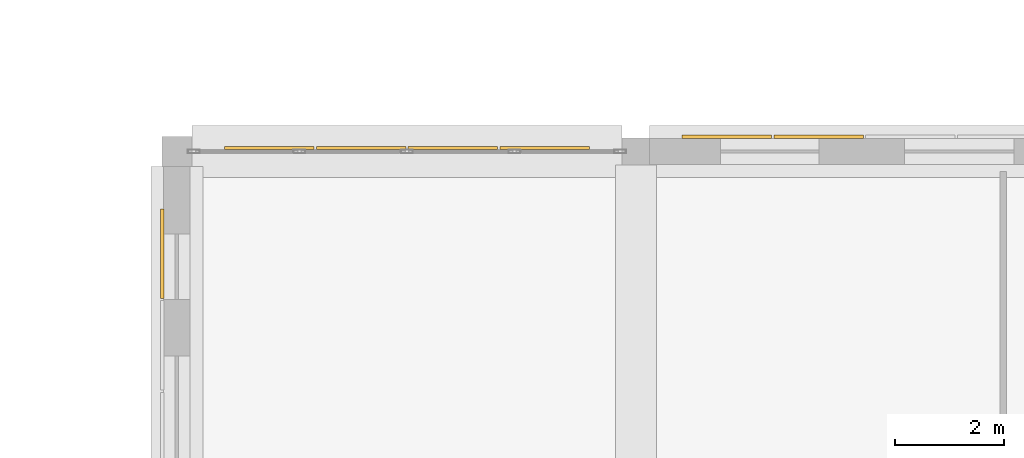
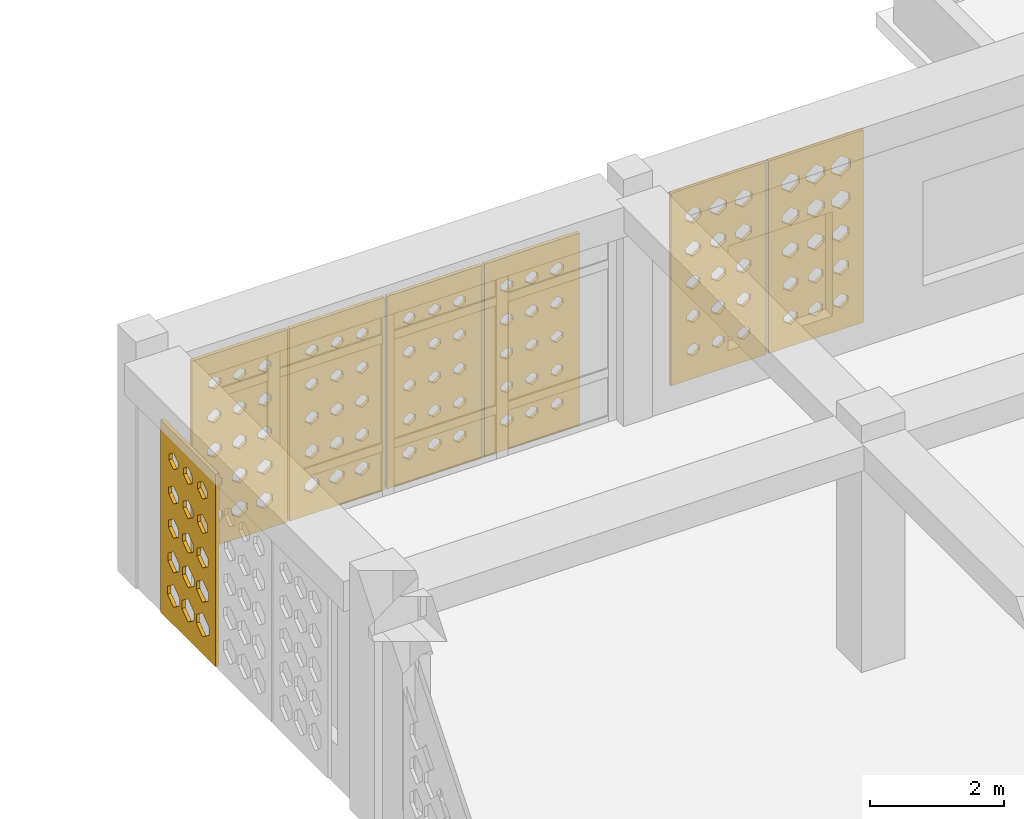
# One storey, part 99 of 111: 7 coverings.
"""IFC4 building model written with IfcOpenShell, lengths in metres."""

import ifcopenshell
import ifcopenshell.guid

model = None  # the IFC model being written
_history = None  # IfcOwnerHistory: only IFC2X3 demands one
_inside = {}  # id of a spatial element -> (the spatial element, [elements in it])
_under = {}  # id of a project, library or spatial element -> (it, [spatial elements below it])
_declared = {}  # id of a project -> (the project, [libraries it declares])
_typed = {}  # id of a type object -> (the type object, [elements of that type])
_made_of = {}  # id of a material, layer set ... -> (it, [elements and type objects made of it])


def new_model(schema):
    """Start an empty IFC model of exactly this schema.

    Asked for "IFC4X3", IfcOpenShell would pick the latest addendum, in which some entities
    have other attributes; the version numbers below select the first issue.
    IFC2X3 requires an IfcOwnerHistory on every rooted entity: one is made here for all.
    """
    global model, _history
    if schema == "IFC4X3":
        model = ifcopenshell.file(schema_version=(4, 3, 0, 0))
    else:
        model = ifcopenshell.file(schema=schema)
    _inside.clear()
    _under.clear()
    _declared.clear()
    _typed.clear()
    _made_of.clear()
    _history = None
    if model.schema == "IFC2X3":
        org = make("IfcOrganization", Name="unknown")
        user = make(
            "IfcPersonAndOrganization",
            ThePerson=make("IfcPerson", FamilyName="unknown"),
            TheOrganization=org,
        )
        app = make(
            "IfcApplication",
            ApplicationDeveloper=org,
            Version="unknown",
            ApplicationFullName="unknown",
            ApplicationIdentifier="unknown",
        )
        _history = make(
            "IfcOwnerHistory",
            OwningUser=user,
            OwningApplication=app,
            ChangeAction="ADDED",
            CreationDate=0,
        )
    return model


def make(cls, **values):
    """One entity of the class cls with the attributes given. An attribute that is None is left unset."""
    return model.create_entity(
        cls, **{name: value for name, value in values.items() if value is not None}
    )


def rooted(cls, **values):
    """An entity with a GlobalId (a new one), such as an element, a storey or a relation."""
    return make(cls, GlobalId=ifcopenshell.guid.new(), OwnerHistory=_history, **values)


def si_unit(unit_type, name, prefix=None):
    """IfcSIUnit, for example si_unit("LENGTHUNIT", "METRE", prefix="MILLI")."""
    return make("IfcSIUnit", UnitType=unit_type, Prefix=prefix, Name=name)


def derived_unit(unit_type, elements):
    """IfcDerivedUnit: a product of units, each with its exponent."""
    return make(
        "IfcDerivedUnit",
        Elements=[
            make("IfcDerivedUnitElement", Unit=unit, Exponent=power)
            for unit, power in elements
        ],
        UnitType=unit_type,
    )


def assignment(units):
    """IfcUnitAssignment: the units of a project."""
    return None if units is None else make("IfcUnitAssignment", Units=units)


def point(xyz):
    """IfcCartesianPoint."""
    return None if xyz is None else make("IfcCartesianPoint", Coordinates=xyz)


def direction(xyz):
    """IfcDirection."""
    return None if xyz is None else make("IfcDirection", DirectionRatios=xyz)


def frame(location, z_axis=None, x_axis=None):
    """IfcAxis2Placement3D, a coordinate frame: its origin and axes. An axis left out is left unset."""
    return make(
        "IfcAxis2Placement3D",
        Location=point(location),
        Axis=direction(z_axis),
        RefDirection=direction(x_axis),
    )


def origin():
    """The frame at (0, 0, 0) with its axes left unset."""
    return frame((0.0, 0.0, 0.0))


def place(relative_to, where):
    """IfcLocalPlacement: puts the frame where relative to a parent placement (None: the world)."""
    return make(
        "IfcLocalPlacement", PlacementRelTo=relative_to, RelativePlacement=where
    )


def context(
    kind, dimensions, precision=None, world=None, true_north=None, identifier=None
):
    """IfcGeometricRepresentationContext, for example the 3D "Model" context."""
    return make(
        "IfcGeometricRepresentationContext",
        ContextIdentifier=identifier,
        ContextType=kind,
        CoordinateSpaceDimension=dimensions,
        Precision=precision,
        WorldCoordinateSystem=world,
        TrueNorth=true_north,
    )


def subcontext(parent, identifier, kind, view, scale=None):
    """IfcGeometricRepresentationSubContext, for example "Body" below "Model"."""
    return make(
        "IfcGeometricRepresentationSubContext",
        ContextIdentifier=identifier,
        ContextType=kind,
        ParentContext=parent,
        TargetScale=scale,
        TargetView=view,
    )


def project(units=None, contexts=None):
    """IfcProject with its units and contexts."""
    return rooted(
        "IfcProject",
        Name="project",
        RepresentationContexts=contexts,
        UnitsInContext=assignment(units),
    )


def spatial(cls, under=None, at=None, **own):
    """A site, building, storey or space (cls), placed at a placement, below another one or the project."""
    s = rooted(cls, ObjectPlacement=at, **own)
    if under is not None:
        _under.setdefault(under.id(), (under, []))[1].append(s)
    return s


def polyline(points):
    """IfcPolyline through the points."""
    return make("IfcPolyline", Points=[point(p) for p in points])


def outline(outer, holes=None, kind="AREA"):
    """IfcArbitraryClosedProfileDef: a profile drawn as a closed curve; with holes, ...WithVoids."""
    if holes is None:
        return make("IfcArbitraryClosedProfileDef", ProfileType=kind, OuterCurve=outer)
    return make(
        "IfcArbitraryProfileDefWithVoids",
        ProfileType=kind,
        OuterCurve=outer,
        InnerCurves=holes,
    )


def extrude(swept, where, along, depth):
    """IfcExtrudedAreaSolid: the profile swept, set in the frame where, extruded along a direction by depth."""
    return make(
        "IfcExtrudedAreaSolid",
        SweptArea=swept,
        Position=where,
        ExtrudedDirection=direction(along),
        Depth=depth,
    )


def shape(context_of_items, identifier, shape_type, items):
    """IfcShapeRepresentation: the items that make up one representation, for example the "Body"."""
    return make(
        "IfcShapeRepresentation",
        ContextOfItems=context_of_items,
        RepresentationIdentifier=identifier,
        RepresentationType=shape_type,
        Items=items,
    )


def material(Name=None, Category=None):
    """IfcMaterial."""
    return make("IfcMaterial", Name=Name, Category=Category)


def layer(
    of_material, thickness, ventilated=None, Name=None, Category=None, Priority=None
):
    """IfcMaterialLayer: one layer of a wall or slab, of a material (None: an air gap)."""
    return make(
        "IfcMaterialLayer",
        Material=of_material,
        LayerThickness=thickness,
        IsVentilated=ventilated,
        Name=Name,
        Category=Category,
        Priority=Priority,
    )


def layer_set(layers, Name=None):
    """IfcMaterialLayerSet."""
    return make("IfcMaterialLayerSet", MaterialLayers=layers, LayerSetName=Name)


def made_of(thing, what):
    """Note that an element or type object is made of a material, layer set ...; save() writes the relation."""
    if what is not None:
        _made_of.setdefault(what.id(), (what, []))[1].append(thing)
    return thing


def type_object(cls, material=None, **own):
    """A type object (cls), such as IfcWallType, which elements share."""
    return made_of(rooted(cls, **own), material)


def element(
    cls,
    number,
    at=None,
    inside=None,
    cuts=None,
    type_object=None,
    material=None,
    context=None,
    identifier="Body",
    shape_type=None,
    held_by="IfcProductDefinitionShape",
    body=None,
    shapes=None,
    **own,
):
    """One element of the class cls, such as IfcWall. Its Tag is "e" and its number.

    at: its placement. inside: the storey or other place that contains it. cuts: it is an
    opening in that element (IfcRelVoidsElement). A single representation is given by context,
    identifier, shape_type and body (its items); several are given by shapes. held_by: the class
    of the entity that holds the representations. save() writes the other relations.
    """
    e = rooted(cls, Tag="e%d" % number, ObjectPlacement=at, **own)
    if body is not None:
        shapes = [shape(context, identifier, shape_type, body)]
    if shapes is not None:
        e.Representation = make(held_by, Representations=shapes)
    if inside is not None:
        _inside.setdefault(inside.id(), (inside, []))[1].append(e)
    if cuts is not None:
        rooted(
            "IfcRelVoidsElement", RelatingBuildingElement=cuts, RelatedOpeningElement=e
        )
    if type_object is not None:
        _typed.setdefault(type_object.id(), (type_object, []))[1].append(e)
    return made_of(e, material)


def aggregate(whole, parts):
    """IfcRelAggregates: a whole, such as a stair, and the parts it consists of."""
    return rooted("IfcRelAggregates", RelatingObject=whole, RelatedObjects=parts)


def save(model, path):
    """Write the relations noted so far, then the file.

    IfcRelAggregates (storeys below a building ...), IfcRelContainedInSpatialStructure (elements
    in a storey), IfcRelDefinesByType, IfcRelAssociatesMaterial and IfcRelDeclares: one each for
    every whole, place, type object, material and project.
    """
    for whole, parts in _under.values():
        aggregate(whole, parts)
    for where, things in _inside.values():
        rooted(
            "IfcRelContainedInSpatialStructure",
            RelatedElements=things,
            RelatingStructure=where,
        )
    for kind, things in _typed.values():
        rooted("IfcRelDefinesByType", RelatedObjects=things, RelatingType=kind)
    for what, things in _made_of.values():
        rooted("IfcRelAssociatesMaterial", RelatedObjects=things, RelatingMaterial=what)
    for by, libraries in _declared.values():
        rooted("IfcRelDeclares", RelatingContext=by, RelatedDefinitions=libraries)
    model.write(path)


model = new_model("IFC4")

# Units and contexts
model_context = context("Model", 3, precision=1e-05, world=origin(), true_north=direction((0.0, 1.0)))
body_context = subcontext(model_context, "Body", "Model", "MODEL_VIEW")
ifc_project = project(units=[si_unit("LENGTHUNIT", "METRE"), si_unit("AREAUNIT", "SQUARE_METRE"), si_unit("VOLUMEUNIT", "CUBIC_METRE"), si_unit("PLANEANGLEUNIT", "RADIAN"), si_unit("MASSUNIT", "GRAM", prefix="KILO"), derived_unit("THERMALTRANSMITTANCEUNIT", [(si_unit("POWERUNIT", "WATT"), 1), (si_unit("LENGTHUNIT", "METRE"), -2), (si_unit("THERMODYNAMICTEMPERATUREUNIT", "KELVIN"), -1)])], contexts=[model_context])

# Site, building, storey
site_placement = place(None, origin())
site = spatial("IfcSite", under=ifc_project, at=site_placement, CompositionType="ELEMENT")
building_placement = place(site_placement, origin())
building = spatial("IfcBuilding", under=site, at=building_placement, Name="Veybourne Emporium", CompositionType="ELEMENT")
storey_placement = place(building_placement, frame((0.0, 0.0, 9.89990234375)))
storey = spatial("IfcBuildingStorey", under=building, at=storey_placement, Name="L02", CompositionType="ELEMENT", Elevation=9.89990234375)

# Coverings
ifc_material = material(Name="Warm-White Perforated Aluminium Screen Alloy", Category="aluminium")
ifc_layer_1 = layer(ifc_material, 0.06005859375)
ifc_layer_set_1 = layer_set([ifc_layer_1], Name="Warm-White Perforated Aluminium Screen Alloy")
covering_type_1 = type_object("IfcCoveringType", Name="WaveScreen_SCR-01", PredefinedType="CLADDING", material=ifc_layer_set_1)
covering_1_placement = place(storey_placement, frame((36.972412109375, 108.093017578125, 1.815185546875), z_axis=(0.0, -1.0, 0.0), x_axis=(1.0, 0.0, 0.0)))
element("IfcCovering", 1, at=covering_1_placement, inside=storey, type_object=covering_type_1, Name="L02 wave-perforated aluminium screen SCR-01 (24C.2)", PredefinedType="CLADDING", context=body_context, shape_type="SweptSolid", body=[
    extrude(outline(polyline([(-0.81982421875, -1.7548828125), (0.81982421875, -1.7548828125), (0.81982421875, 1.7548828125), (-0.81982421875, 1.7548828125), (-0.81982421875, -1.7548828125)]), holes=[polyline([(-0.433349609375, -1.087890625), (-0.308837890625, -1.177490234375), (-0.308837890625, -1.2783203125), (-0.433349609375, -1.367919921875), (-0.557861328125, -1.2783203125), (-0.557861328125, -1.177490234375), (-0.433349609375, -1.087890625)]), polyline([(-0.433349609375, -0.484130859375), (-0.317138671875, -0.5673828125), (-0.317138671875, -0.66064453125), (-0.433349609375, -0.743896484375), (-0.549560546875, -0.66064453125), (-0.549560546875, -0.5673828125), (-0.433349609375, -0.484130859375)]), polyline([(-0.433349609375, 0.12158203125), (-0.32373046875, 0.043701171875), (-0.32373046875, -0.043701171875), (-0.433349609375, -0.12158203125), (-0.542724609375, -0.043701171875), (-0.542724609375, 0.043701171875), (-0.433349609375, 0.12158203125)]), polyline([(-0.433349609375, 0.7294921875), (-0.328857421875, 0.655517578125), (-0.328857421875, 0.572509765625), (-0.433349609375, 0.49853515625), (-0.537841796875, 0.572509765625), (-0.537841796875, 0.655517578125), (-0.433349609375, 0.7294921875)]), polyline([(-0.433349609375, 1.339599609375), (-0.33203125, 1.26806640625), (-0.33203125, 1.18798828125), (-0.433349609375, 1.116455078125), (-0.53466796875, 1.18798828125), (-0.53466796875, 1.26806640625), (-0.433349609375, 1.339599609375)]), polyline([(0.0, -1.0927734375), (0.12060546875, -1.17919921875), (0.12060546875, -1.276611328125), (0.0, -1.36328125), (-0.12060546875, -1.276611328125), (-0.12060546875, -1.17919921875), (0.0, -1.0927734375)]), polyline([(0.0, -0.488037109375), (0.113037109375, -0.568603515625), (0.113037109375, -0.6591796875), (0.0, -0.739990234375), (-0.113037109375, -0.6591796875), (-0.113037109375, -0.568603515625), (0.0, -0.488037109375)]), polyline([(0.0, 0.118408203125), (0.10693359375, 0.042724609375), (0.10693359375, -0.042724609375), (0.0, -0.118408203125), (-0.10693359375, -0.042724609375), (-0.10693359375, 0.042724609375), (0.0, 0.118408203125)]), polyline([(0.0, 0.727294921875), (0.102783203125, 0.65478515625), (0.102783203125, 0.5732421875), (0.0, 0.50048828125), (-0.102783203125, 0.5732421875), (-0.102783203125, 0.65478515625), (0.0, 0.727294921875)]), polyline([(0.0, 1.33837890625), (0.100341796875, 1.267822265625), (0.100341796875, 1.188232421875), (0.0, 1.117431640625), (-0.100341796875, 1.188232421875), (-0.100341796875, 1.267822265625), (0.0, 1.33837890625)]), polyline([(0.433349609375, -1.097412109375), (0.55029296875, -1.180908203125), (0.55029296875, -1.275146484375), (0.433349609375, -1.358642578125), (0.31640625, -1.275146484375), (0.31640625, -1.180908203125), (0.433349609375, -1.097412109375)]), polyline([(0.433349609375, -0.49169921875), (0.54345703125, -0.570068359375), (0.54345703125, -0.657958984375), (0.433349609375, -0.736328125), (0.3232421875, -0.657958984375), (0.3232421875, -0.570068359375), (0.433349609375, -0.49169921875)]), polyline([(0.433349609375, 0.115966796875), (0.5380859375, 0.041748046875), (0.5380859375, -0.041748046875), (0.433349609375, -0.115966796875), (0.32861328125, -0.041748046875), (0.32861328125, 0.041748046875), (0.433349609375, 0.115966796875)]), polyline([(0.433349609375, 0.725830078125), (0.534912109375, 0.654296875), (0.534912109375, 0.57373046875), (0.433349609375, 0.502197265625), (0.331787109375, 0.57373046875), (0.331787109375, 0.654296875), (0.433349609375, 0.725830078125)]), polyline([(0.433349609375, 1.338134765625), (0.533447265625, 1.267578125), (0.533447265625, 1.1884765625), (0.433349609375, 1.117919921875), (0.333251953125, 1.1884765625), (0.333251953125, 1.267578125), (0.433349609375, 1.338134765625)])]), origin(), (0.0, 0.0, 1.0), 0.06005859375),
])
covering_2_placement = place(storey_placement, frame((45.347412109375, 108.298095703125, 1.815185546875), z_axis=(0.0, -1.0, 0.0), x_axis=(1.0, 0.0, 0.0)))
element("IfcCovering", 2, at=covering_2_placement, inside=storey, type_object=covering_type_1, Name="L02 wave-perforated aluminium screen SCR-01 (28.2)", PredefinedType="CLADDING", context=body_context, shape_type="SweptSolid", body=[
    extrude(outline(polyline([(-0.81982421875, -1.7548828125), (0.81982421875, -1.7548828125), (0.81982421875, 1.7548828125), (-0.81982421875, 1.7548828125), (-0.81982421875, -1.7548828125)]), holes=[polyline([(-0.433349609375, -1.1005859375), (-0.319091796875, -1.18212890625), (-0.319091796875, -1.27392578125), (-0.433349609375, -1.35546875), (-0.547607421875, -1.27392578125), (-0.547607421875, -1.18212890625), (-0.433349609375, -1.1005859375)]), polyline([(-0.433349609375, -0.476806640625), (-0.31103515625, -0.564697265625), (-0.31103515625, -0.663330078125), (-0.433349609375, -0.751220703125), (-0.5556640625, -0.663330078125), (-0.5556640625, -0.564697265625), (-0.433349609375, -0.476806640625)]), polyline([(-0.433349609375, 0.1484375), (-0.302001953125, 0.053466796875), (-0.302001953125, -0.053466796875), (-0.433349609375, -0.1484375), (-0.564697265625, -0.053466796875), (-0.564697265625, 0.053466796875), (-0.433349609375, 0.1484375)]), polyline([(-0.433349609375, 0.775146484375), (-0.29150390625, 0.672119140625), (-0.29150390625, 0.555908203125), (-0.433349609375, 0.452880859375), (-0.5751953125, 0.555908203125), (-0.5751953125, 0.672119140625), (-0.433349609375, 0.775146484375)]), polyline([(-0.433349609375, 1.402587890625), (-0.280517578125, 1.290771484375), (-0.280517578125, 1.165283203125), (-0.433349609375, 1.053466796875), (-0.586181640625, 1.165283203125), (-0.586181640625, 1.290771484375), (-0.433349609375, 1.402587890625)]), polyline([(0.0, -1.09619140625), (0.11767578125, -1.1806640625), (0.11767578125, -1.275390625), (0.0, -1.359619140625), (-0.11767578125, -1.275390625), (-0.11767578125, -1.1806640625), (0.0, -1.09619140625)]), polyline([(0.0, -0.471923828125), (0.126220703125, -0.562744140625), (0.126220703125, -0.665283203125), (0.0, -0.756103515625), (-0.126220703125, -0.665283203125), (-0.126220703125, -0.562744140625), (0.0, -0.471923828125)]), polyline([(0.0, 0.154052734375), (0.135986328125, 0.055419921875), (0.135986328125, -0.055419921875), (0.0, -0.154052734375), (-0.135986328125, -0.055419921875), (-0.135986328125, 0.055419921875), (0.0, 0.154052734375)]), polyline([(0.0, 0.781005859375), (0.146728515625, 0.67431640625), (0.146728515625, 0.5537109375), (0.0, 0.447021484375), (-0.146728515625, 0.5537109375), (-0.146728515625, 0.67431640625), (0.0, 0.781005859375)]), polyline([(0.0, 1.408935546875), (0.157958984375, 1.293212890625), (0.157958984375, 1.162841796875), (0.0, 1.047119140625), (-0.157958984375, 1.162841796875), (-0.157958984375, 1.293212890625), (0.0, 1.408935546875)]), polyline([(0.433349609375, -1.091796875), (0.5546875, -1.178955078125), (0.5546875, -1.277099609375), (0.433349609375, -1.3642578125), (0.31201171875, -1.277099609375), (0.31201171875, -1.178955078125), (0.433349609375, -1.091796875)]), polyline([(0.433349609375, -0.466552734375), (0.56396484375, -0.560791015625), (0.56396484375, -0.6669921875), (0.433349609375, -0.761474609375), (0.302734375, -0.6669921875), (0.302734375, -0.560791015625), (0.433349609375, -0.466552734375)]), polyline([(0.433349609375, 0.159912109375), (0.57421875, 0.0576171875), (0.57421875, -0.0576171875), (0.433349609375, -0.159912109375), (0.29248046875, -0.0576171875), (0.29248046875, 0.0576171875), (0.433349609375, 0.159912109375)]), polyline([(0.433349609375, 0.787353515625), (0.585205078125, 0.676513671875), (0.585205078125, 0.551513671875), (0.433349609375, 0.440673828125), (0.281494140625, 0.551513671875), (0.281494140625, 0.676513671875), (0.433349609375, 0.787353515625)]), polyline([(0.433349609375, 1.415283203125), (0.5966796875, 1.29541015625), (0.5966796875, 1.16064453125), (0.433349609375, 1.040771484375), (0.27001953125, 1.16064453125), (0.27001953125, 1.29541015625), (0.433349609375, 1.415283203125)])]), origin(), (0.0, 0.0, 1.0), 0.06005859375),
])
ifc_layer_2 = layer(ifc_material, 0.06005859375)
ifc_layer_set_2 = layer_set([ifc_layer_2], Name="Warm-White Perforated Aluminium Screen Alloy")
covering_type_2 = type_object("IfcCoveringType", Name="WaveScreen_SCR-02", PredefinedType="CLADDING", material=ifc_layer_set_2)
covering_3_placement = place(storey_placement, frame((38.652587890625, 108.093017578125, 1.815185546875), z_axis=(0.0, -1.0, 0.0), x_axis=(1.0, 0.0, 0.0)))
element("IfcCovering", 3, at=covering_3_placement, inside=storey, type_object=covering_type_2, Name="L02 wave-perforated aluminium screen SCR-02 (24C.3)", PredefinedType="CLADDING", context=body_context, shape_type="SweptSolid", body=[
    extrude(outline(polyline([(-0.81982421875, -1.7548828125), (0.81982421875, -1.7548828125), (0.81982421875, 1.7548828125), (-0.81982421875, 1.7548828125), (-0.81982421875, -1.7548828125)]), holes=[polyline([(-0.433349609375, -1.1044921875), (-0.322509765625, -1.18359375), (-0.322509765625, -1.2724609375), (-0.433349609375, -1.351318359375), (-0.544189453125, -1.2724609375), (-0.544189453125, -1.18359375), (-0.433349609375, -1.1044921875)]), polyline([(-0.433349609375, -0.497314453125), (-0.327880859375, -0.572021484375), (-0.327880859375, -0.656005859375), (-0.433349609375, -0.730712890625), (-0.538818359375, -0.656005859375), (-0.538818359375, -0.572021484375), (-0.433349609375, -0.497314453125)]), polyline([(-0.433349609375, 0.1123046875), (-0.33154296875, 0.040283203125), (-0.33154296875, -0.040283203125), (-0.433349609375, -0.1123046875), (-0.53515625, -0.040283203125), (-0.53515625, 0.040283203125), (-0.433349609375, 0.1123046875)]), polyline([(-0.433349609375, 0.72412109375), (-0.333251953125, 0.65380859375), (-0.333251953125, 0.57421875), (-0.433349609375, 0.50390625), (-0.533447265625, 0.57421875), (-0.533447265625, 0.65380859375), (-0.433349609375, 0.72412109375)]), polyline([(-0.433349609375, 1.33837890625), (-0.3330078125, 1.267822265625), (-0.3330078125, 1.188232421875), (-0.433349609375, 1.117431640625), (-0.53369140625, 1.188232421875), (-0.53369140625, 1.267822265625), (-0.433349609375, 1.33837890625)]), polyline([(0.0, -1.10791015625), (0.1083984375, -1.184814453125), (0.1083984375, -1.271240234375), (0.0, -1.34814453125), (-0.1083984375, -1.271240234375), (-0.1083984375, -1.184814453125), (0.0, -1.10791015625)]), polyline([(0.0, -0.49951171875), (0.103515625, -0.57275390625), (0.103515625, -0.6552734375), (0.0, -0.728515625), (-0.103515625, -0.6552734375), (-0.103515625, -0.57275390625), (0.0, -0.49951171875)]), polyline([(0.0, 0.111083984375), (0.100830078125, 0.0400390625), (0.100830078125, -0.0400390625), (0.0, -0.111083984375), (-0.100830078125, -0.0400390625), (-0.100830078125, 0.0400390625), (0.0, 0.111083984375)]), polyline([(0.0, 0.72412109375), (0.10009765625, 0.653564453125), (0.10009765625, 0.574462890625), (0.0, 0.50390625), (-0.10009765625, 0.574462890625), (-0.10009765625, 0.653564453125), (0.0, 0.72412109375)]), polyline([(0.0, 1.33935546875), (0.101318359375, 1.26806640625), (0.101318359375, 1.18798828125), (0.0, 1.11669921875), (-0.101318359375, 1.18798828125), (-0.101318359375, 1.26806640625), (0.0, 1.33935546875)]), polyline([(0.433349609375, -1.11083984375), (0.539306640625, -1.185791015625), (0.539306640625, -1.270263671875), (0.433349609375, -1.34521484375), (0.327392578125, -1.270263671875), (0.327392578125, -1.185791015625), (0.433349609375, -1.11083984375)]), polyline([(0.433349609375, -0.50146484375), (0.535400390625, -0.573486328125), (0.535400390625, -0.654541015625), (0.433349609375, -0.7265625), (0.331298828125, -0.654541015625), (0.331298828125, -0.573486328125), (0.433349609375, -0.50146484375)]), polyline([(0.433349609375, 0.1103515625), (0.533447265625, 0.039794921875), (0.533447265625, -0.039794921875), (0.433349609375, -0.1103515625), (0.3330078125, -0.039794921875), (0.3330078125, 0.039794921875), (0.433349609375, 0.1103515625)]), polyline([(0.433349609375, 0.724365234375), (0.53369140625, 0.65380859375), (0.53369140625, 0.57421875), (0.433349609375, 0.503662109375), (0.3330078125, 0.57421875), (0.3330078125, 0.65380859375), (0.433349609375, 0.724365234375)]), polyline([(0.433349609375, 1.3408203125), (0.53564453125, 1.2685546875), (0.53564453125, 1.1875), (0.433349609375, 1.114990234375), (0.3310546875, 1.1875), (0.3310546875, 1.2685546875), (0.433349609375, 1.3408203125)])]), origin(), (0.0, 0.0, 1.0), 0.06005859375),
])
ifc_layer_3 = layer(ifc_material, 0.06005859375)
ifc_layer_set_3 = layer_set([ifc_layer_3], Name="Warm-White Perforated Aluminium Screen Alloy")
covering_type_3 = type_object("IfcCoveringType", Name="WaveScreen_SCR-03", PredefinedType="CLADDING", material=ifc_layer_set_3)
covering_4_placement = place(storey_placement, frame((40.33251953125, 108.093017578125, 1.815185546875), z_axis=(0.0, -1.0, 0.0), x_axis=(1.0, 0.0, 0.0)))
element("IfcCovering", 4, at=covering_4_placement, inside=storey, type_object=covering_type_3, Name="L02 wave-perforated aluminium screen SCR-03 (24C.4)", PredefinedType="CLADDING", context=body_context, shape_type="SweptSolid", body=[
    extrude(outline(polyline([(-0.81982421875, -1.7548828125), (0.81982421875, -1.7548828125), (0.81982421875, 1.7548828125), (-0.81982421875, 1.7548828125), (-0.81982421875, -1.7548828125)]), holes=[polyline([(-0.433349609375, -1.114990234375), (-0.330810546875, -1.187255859375), (-0.330810546875, -1.268798828125), (-0.433349609375, -1.341064453125), (-0.535888671875, -1.268798828125), (-0.535888671875, -1.187255859375), (-0.433349609375, -1.114990234375)]), polyline([(-0.433349609375, -0.503662109375), (-0.3330078125, -0.57421875), (-0.3330078125, -0.65380859375), (-0.433349609375, -0.724365234375), (-0.53369140625, -0.65380859375), (-0.53369140625, -0.57421875), (-0.433349609375, -0.503662109375)]), polyline([(-0.433349609375, 0.110107421875), (-0.333251953125, 0.039794921875), (-0.333251953125, -0.039794921875), (-0.433349609375, -0.110107421875), (-0.533447265625, -0.039794921875), (-0.533447265625, 0.039794921875), (-0.433349609375, 0.110107421875)]), polyline([(-0.433349609375, 0.726318359375), (-0.331298828125, 0.654541015625), (-0.331298828125, 0.573486328125), (-0.433349609375, 0.501708984375), (-0.535400390625, 0.573486328125), (-0.535400390625, 0.654541015625), (-0.433349609375, 0.726318359375)]), polyline([(-0.433349609375, 1.344970703125), (-0.32763671875, 1.27001953125), (-0.32763671875, 1.185791015625), (-0.433349609375, 1.111083984375), (-0.5390625, 1.185791015625), (-0.5390625, 1.27001953125), (-0.433349609375, 1.344970703125)]), polyline([(0.0, -1.116455078125), (0.101318359375, -1.187744140625), (0.101318359375, -1.268310546875), (0.0, -1.339599609375), (-0.101318359375, -1.268310546875), (-0.101318359375, -1.187744140625), (0.0, -1.116455078125)]), polyline([(0.0, -0.50390625), (0.10009765625, -0.574462890625), (0.10009765625, -0.653564453125), (0.0, -0.72412109375), (-0.10009765625, -0.653564453125), (-0.10009765625, -0.574462890625), (0.0, -0.50390625)]), polyline([(0.0, 0.11083984375), (0.1005859375, 0.039794921875), (0.1005859375, -0.039794921875), (0.0, -0.11083984375), (-0.1005859375, -0.039794921875), (-0.1005859375, 0.039794921875), (0.0, 0.11083984375)]), polyline([(0.0, 0.72802734375), (0.103515625, 0.655029296875), (0.103515625, 0.572998046875), (0.0, 0.5), (-0.103515625, 0.572998046875), (-0.103515625, 0.655029296875), (0.0, 0.72802734375)]), polyline([(0.0, 1.34765625), (0.10791015625, 1.27099609375), (0.10791015625, 1.184814453125), (0.0, 1.1083984375), (-0.10791015625, 1.184814453125), (-0.10791015625, 1.27099609375), (0.0, 1.34765625)]), polyline([(0.433349609375, -1.117431640625), (0.53369140625, -1.188232421875), (0.53369140625, -1.267822265625), (0.433349609375, -1.338623046875), (0.3330078125, -1.267822265625), (0.3330078125, -1.188232421875), (0.433349609375, -1.117431640625)]), polyline([(0.433349609375, -0.50390625), (0.533447265625, -0.574462890625), (0.533447265625, -0.653564453125), (0.433349609375, -0.72412109375), (0.333251953125, -0.653564453125), (0.333251953125, -0.574462890625), (0.433349609375, -0.50390625)]), polyline([(0.433349609375, 0.112060546875), (0.534912109375, 0.040283203125), (0.534912109375, -0.040283203125), (0.433349609375, -0.112060546875), (0.33154296875, -0.040283203125), (0.33154296875, 0.040283203125), (0.433349609375, 0.112060546875)]), polyline([(0.433349609375, 0.73046875), (0.53857421875, 0.656005859375), (0.53857421875, 0.572021484375), (0.433349609375, 0.49755859375), (0.328125, 0.572021484375), (0.328125, 0.656005859375), (0.433349609375, 0.73046875)]), polyline([(0.433349609375, 1.35107421875), (0.5439453125, 1.272216796875), (0.5439453125, 1.18359375), (0.433349609375, 1.10498046875), (0.32275390625, 1.18359375), (0.32275390625, 1.272216796875), (0.433349609375, 1.35107421875)])]), origin(), (0.0, 0.0, 1.0), 0.06005859375),
])
covering_5_placement = place(storey_placement, frame((33.302001953125, 106.1298828125, 1.815185546875), z_axis=(1.0, 0.0, 0.0), x_axis=(0.0, 1.0, 0.0)))
element("IfcCovering", 5, at=covering_5_placement, inside=storey, type_object=covering_type_3, Name="L02 wave-perforated aluminium screen SCR-03 (25.3)", PredefinedType="CLADDING", context=body_context, shape_type="SweptSolid", body=[
    extrude(outline(polyline([(-0.81982421875, -1.7548828125), (0.81982421875, -1.7548828125), (0.81982421875, 1.7548828125), (-0.81982421875, 1.7548828125), (-0.81982421875, -1.7548828125)]), holes=[polyline([(-0.433349609375, -1.010009765625), (-0.2470703125, -1.149658203125), (-0.2470703125, -1.306396484375), (-0.433349609375, -1.44580078125), (-0.61962890625, -1.306396484375), (-0.61962890625, -1.149658203125), (-0.433349609375, -1.010009765625)]), polyline([(-0.433349609375, -0.409912109375), (-0.25634765625, -0.54052734375), (-0.25634765625, -0.6875), (-0.433349609375, -0.818115234375), (-0.6103515625, -0.6875), (-0.6103515625, -0.54052734375), (-0.433349609375, -0.409912109375)]), polyline([(-0.433349609375, 0.18994140625), (-0.267822265625, 0.068359375), (-0.267822265625, -0.068359375), (-0.433349609375, -0.18994140625), (-0.5986328125, -0.068359375), (-0.5986328125, 0.068359375), (-0.433349609375, 0.18994140625)]), polyline([(-0.433349609375, 0.789794921875), (-0.279296875, 0.67724609375), (-0.279296875, 0.55078125), (-0.433349609375, 0.43798828125), (-0.587158203125, 0.55078125), (-0.587158203125, 0.67724609375), (-0.433349609375, 0.789794921875)]), polyline([(-0.433349609375, 1.390380859375), (-0.29052734375, 1.286376953125), (-0.29052734375, 1.169677734375), (-0.433349609375, 1.065673828125), (-0.576171875, 1.169677734375), (-0.576171875, 1.286376953125), (-0.433349609375, 1.390380859375)]), polyline([(0.0, -1.016357421875), (0.18310546875, -1.15185546875), (0.18310546875, -1.30419921875), (0.0, -1.439697265625), (-0.18310546875, -1.30419921875), (-0.18310546875, -1.15185546875), (0.0, -1.016357421875)]), polyline([(0.0, -0.416259765625), (0.171630859375, -0.542724609375), (0.171630859375, -0.685302734375), (0.0, -0.811767578125), (-0.171630859375, -0.685302734375), (-0.171630859375, -0.542724609375), (0.0, -0.416259765625)]), polyline([(0.0, 0.18359375), (0.16015625, 0.066162109375), (0.16015625, -0.066162109375), (0.0, -0.18359375), (-0.16015625, -0.066162109375), (-0.16015625, 0.066162109375), (0.0, 0.18359375)]), polyline([(0.0, 0.78369140625), (0.148681640625, 0.675048828125), (0.148681640625, 0.552978515625), (0.0, 0.4443359375), (-0.148681640625, 0.552978515625), (-0.148681640625, 0.675048828125), (0.0, 0.78369140625)]), polyline([(0.0, 1.384521484375), (0.137939453125, 1.2841796875), (0.137939453125, 1.171630859375), (0.0, 1.071533203125), (-0.137939453125, 1.171630859375), (-0.137939453125, 1.2841796875), (0.0, 1.384521484375)]), polyline([(0.433349609375, -1.022705078125), (0.611328125, -1.154052734375), (0.611328125, -1.302001953125), (0.433349609375, -1.433349609375), (0.25537109375, -1.302001953125), (0.25537109375, -1.154052734375), (0.433349609375, -1.022705078125)]), polyline([(0.433349609375, -0.422607421875), (0.599853515625, -0.545166015625), (0.599853515625, -0.682861328125), (0.433349609375, -0.805419921875), (0.266845703125, -0.682861328125), (0.266845703125, -0.545166015625), (0.433349609375, -0.422607421875)]), polyline([(0.433349609375, 0.17724609375), (0.58837890625, 0.063720703125), (0.58837890625, -0.063720703125), (0.433349609375, -0.17724609375), (0.2783203125, -0.063720703125), (0.2783203125, 0.063720703125), (0.433349609375, 0.17724609375)]), polyline([(0.433349609375, 0.777587890625), (0.5771484375, 0.6728515625), (0.5771484375, 0.55517578125), (0.433349609375, 0.450439453125), (0.28955078125, 0.55517578125), (0.28955078125, 0.6728515625), (0.433349609375, 0.777587890625)]), polyline([(0.433349609375, 1.378662109375), (0.566650390625, 1.2822265625), (0.566650390625, 1.173583984375), (0.433349609375, 1.077392578125), (0.300048828125, 1.173583984375), (0.300048828125, 1.2822265625), (0.433349609375, 1.378662109375)])]), origin(), (0.0, 0.0, 1.0), 0.06005859375),
])
ifc_layer_4 = layer(ifc_material, 0.06005859375)
ifc_layer_set_4 = layer_set([ifc_layer_4], Name="Warm-White Perforated Aluminium Screen Alloy")
covering_type_4 = type_object("IfcCoveringType", Name="WaveScreen_SCR-04", PredefinedType="CLADDING", material=ifc_layer_set_4)
covering_6_placement = place(storey_placement, frame((35.29248046875, 108.093017578125, 1.815185546875), z_axis=(0.0, -1.0, 0.0), x_axis=(1.0, 0.0, 0.0)))
element("IfcCovering", 6, at=covering_6_placement, inside=storey, type_object=covering_type_4, Name="L02 wave-perforated aluminium screen SCR-04 (24C.1)", PredefinedType="CLADDING", context=body_context, shape_type="SweptSolid", body=[
    extrude(outline(polyline([(-0.81982421875, -1.7548828125), (0.81982421875, -1.7548828125), (0.81982421875, 1.7548828125), (-0.81982421875, 1.7548828125), (-0.81982421875, -1.7548828125)]), holes=[polyline([(-0.433349609375, -1.066650390625), (-0.29150390625, -1.169921875), (-0.29150390625, -1.2861328125), (-0.433349609375, -1.389404296875), (-0.5751953125, -1.2861328125), (-0.5751953125, -1.169921875), (-0.433349609375, -1.066650390625)]), polyline([(-0.433349609375, -0.46533203125), (-0.3017578125, -0.560546875), (-0.3017578125, -0.66748046875), (-0.433349609375, -0.7626953125), (-0.56494140625, -0.66748046875), (-0.56494140625, -0.560546875), (-0.433349609375, -0.46533203125)]), polyline([(-0.433349609375, 0.137451171875), (-0.310791015625, 0.049560546875), (-0.310791015625, -0.049560546875), (-0.433349609375, -0.137451171875), (-0.5556640625, -0.049560546875), (-0.5556640625, 0.049560546875), (-0.433349609375, 0.137451171875)]), polyline([(-0.433349609375, 0.74169921875), (-0.31884765625, 0.659912109375), (-0.31884765625, 0.568115234375), (-0.433349609375, 0.486328125), (-0.5478515625, 0.568115234375), (-0.5478515625, 0.659912109375), (-0.433349609375, 0.74169921875)]), polyline([(-0.433349609375, 1.347900390625), (-0.3251953125, 1.271240234375), (-0.3251953125, 1.184814453125), (-0.433349609375, 1.108154296875), (-0.54150390625, 1.184814453125), (-0.54150390625, 1.271240234375), (-0.433349609375, 1.347900390625)]), polyline([(0.0, -1.072509765625), (0.13720703125, -1.172119140625), (0.13720703125, -1.283935546875), (0.0, -1.38330078125), (-0.13720703125, -1.283935546875), (-0.13720703125, -1.172119140625), (0.0, -1.072509765625)]), polyline([(0.0, -0.470703125), (0.127197265625, -0.5625), (0.127197265625, -0.66552734375), (0.0, -0.75732421875), (-0.127197265625, -0.66552734375), (-0.127197265625, -0.5625), (0.0, -0.470703125)]), polyline([(0.0, 0.1328125), (0.11865234375, 0.0478515625), (0.11865234375, -0.0478515625), (0.0, -0.1328125), (-0.11865234375, -0.0478515625), (-0.11865234375, 0.0478515625), (0.0, 0.1328125)]), polyline([(0.0, 0.73779296875), (0.111328125, 0.65869140625), (0.111328125, 0.5693359375), (0.0, 0.489990234375), (-0.111328125, 0.5693359375), (-0.111328125, 0.65869140625), (0.0, 0.73779296875)]), polyline([(0.0, 1.34521484375), (0.105712890625, 1.27001953125), (0.105712890625, 1.185791015625), (0.0, 1.11083984375), (-0.105712890625, 1.185791015625), (-0.105712890625, 1.27001953125), (0.0, 1.34521484375)]), polyline([(0.433349609375, -1.078125), (0.56591796875, -1.174072265625), (0.56591796875, -1.281982421875), (0.433349609375, -1.377685546875), (0.30078125, -1.281982421875), (0.30078125, -1.174072265625), (0.433349609375, -1.078125)]), polyline([(0.433349609375, -0.4755859375), (0.556396484375, -0.564208984375), (0.556396484375, -0.663818359375), (0.433349609375, -0.75244140625), (0.31005859375, -0.663818359375), (0.31005859375, -0.564208984375), (0.433349609375, -0.4755859375)]), polyline([(0.433349609375, 0.12841796875), (0.548583984375, 0.04638671875), (0.548583984375, -0.04638671875), (0.433349609375, -0.12841796875), (0.318115234375, -0.04638671875), (0.318115234375, 0.04638671875), (0.433349609375, 0.12841796875)]), polyline([(0.433349609375, 0.734619140625), (0.5419921875, 0.657470703125), (0.5419921875, 0.570556640625), (0.433349609375, 0.493408203125), (0.32470703125, 0.570556640625), (0.32470703125, 0.657470703125), (0.433349609375, 0.734619140625)]), polyline([(0.433349609375, 1.3427734375), (0.537109375, 1.269287109375), (0.537109375, 1.186767578125), (0.433349609375, 1.11328125), (0.32958984375, 1.186767578125), (0.32958984375, 1.269287109375), (0.433349609375, 1.3427734375)])]), origin(), (0.0, 0.0, 1.0), 0.06005859375),
])
covering_7_placement = place(storey_placement, frame((43.66748046875, 108.298095703125, 1.815185546875), z_axis=(0.0, -1.0, 0.0), x_axis=(1.0, 0.0, 0.0)))
element("IfcCovering", 7, at=covering_7_placement, inside=storey, type_object=covering_type_4, Name="L02 wave-perforated aluminium screen SCR-04 (28.1)", PredefinedType="CLADDING", context=body_context, shape_type="SweptSolid", body=[
    extrude(outline(polyline([(-0.81982421875, -1.7548828125), (0.81982421875, -1.7548828125), (0.81982421875, 1.7548828125), (-0.81982421875, 1.7548828125), (-0.81982421875, -1.7548828125)]), holes=[polyline([(-0.433349609375, -1.11279296875), (-0.3291015625, -1.1865234375), (-0.3291015625, -1.26953125), (-0.433349609375, -1.34326171875), (-0.53759765625, -1.26953125), (-0.53759765625, -1.1865234375), (-0.433349609375, -1.11279296875)]), polyline([(-0.433349609375, -0.492431640625), (-0.323974609375, -0.5703125), (-0.323974609375, -0.65771484375), (-0.433349609375, -0.735595703125), (-0.542724609375, -0.65771484375), (-0.542724609375, -0.5703125), (-0.433349609375, -0.492431640625)]), polyline([(-0.433349609375, 0.129638671875), (-0.317138671875, 0.046630859375), (-0.317138671875, -0.046630859375), (-0.433349609375, -0.129638671875), (-0.54931640625, -0.046630859375), (-0.54931640625, 0.046630859375), (-0.433349609375, 0.129638671875)]), polyline([(-0.433349609375, 0.75390625), (-0.30908203125, 0.664306640625), (-0.30908203125, 0.563720703125), (-0.433349609375, 0.47412109375), (-0.5576171875, 0.563720703125), (-0.5576171875, 0.664306640625), (-0.433349609375, 0.75390625)]), polyline([(-0.433349609375, 1.37939453125), (-0.299560546875, 1.282470703125), (-0.299560546875, 1.173583984375), (-0.433349609375, 1.07666015625), (-0.567138671875, 1.173583984375), (-0.567138671875, 1.282470703125), (-0.433349609375, 1.37939453125)]), polyline([(0.0, -1.110107421875), (0.1064453125, -1.185546875), (0.1064453125, -1.2705078125), (0.0, -1.345703125), (-0.1064453125, -1.2705078125), (-0.1064453125, -1.185546875), (0.0, -1.110107421875)]), polyline([(0.0, -0.489013671875), (0.1123046875, -0.569091796875), (0.1123046875, -0.658935546875), (0.0, -0.739013671875), (-0.1123046875, -0.658935546875), (-0.1123046875, -0.569091796875), (0.0, -0.489013671875)]), polyline([(0.0, 0.134033203125), (0.11962890625, 0.04833984375), (0.11962890625, -0.04833984375), (0.0, -0.134033203125), (-0.11962890625, -0.04833984375), (-0.11962890625, 0.04833984375), (0.0, 0.134033203125)]), polyline([(0.0, 0.7587890625), (0.12841796875, 0.666259765625), (0.12841796875, 0.561767578125), (0.0, 0.468994140625), (-0.12841796875, 0.561767578125), (-0.12841796875, 0.666259765625), (0.0, 0.7587890625)]), polyline([(0.0, 1.385009765625), (0.138427734375, 1.28466796875), (0.138427734375, 1.17138671875), (0.0, 1.07080078125), (-0.138427734375, 1.17138671875), (-0.138427734375, 1.28466796875), (0.0, 1.385009765625)]), polyline([(0.433349609375, -1.107177734375), (0.542236328125, -1.1845703125), (0.542236328125, -1.271484375), (0.433349609375, -1.348876953125), (0.324462890625, -1.271484375), (0.324462890625, -1.1845703125), (0.433349609375, -1.107177734375)]), polyline([(0.433349609375, -0.485107421875), (0.548828125, -0.567626953125), (0.548828125, -0.660400390625), (0.433349609375, -0.742919921875), (0.31787109375, -0.660400390625), (0.31787109375, -0.567626953125), (0.433349609375, -0.485107421875)]), polyline([(0.433349609375, 0.138916015625), (0.556884765625, 0.050048828125), (0.556884765625, -0.050048828125), (0.433349609375, -0.138916015625), (0.309814453125, -0.050048828125), (0.309814453125, 0.050048828125), (0.433349609375, 0.138916015625)]), polyline([(0.433349609375, 0.764404296875), (0.56640625, 0.668212890625), (0.56640625, 0.559814453125), (0.433349609375, 0.463623046875), (0.30029296875, 0.559814453125), (0.30029296875, 0.668212890625), (0.433349609375, 0.764404296875)]), polyline([(0.433349609375, 1.39111328125), (0.57666015625, 1.28662109375), (0.57666015625, 1.169189453125), (0.433349609375, 1.06494140625), (0.2900390625, 1.169189453125), (0.2900390625, 1.28662109375), (0.433349609375, 1.39111328125)])]), origin(), (0.0, 0.0, 1.0), 0.06005859375),
])

save(model, "model.ifc")
